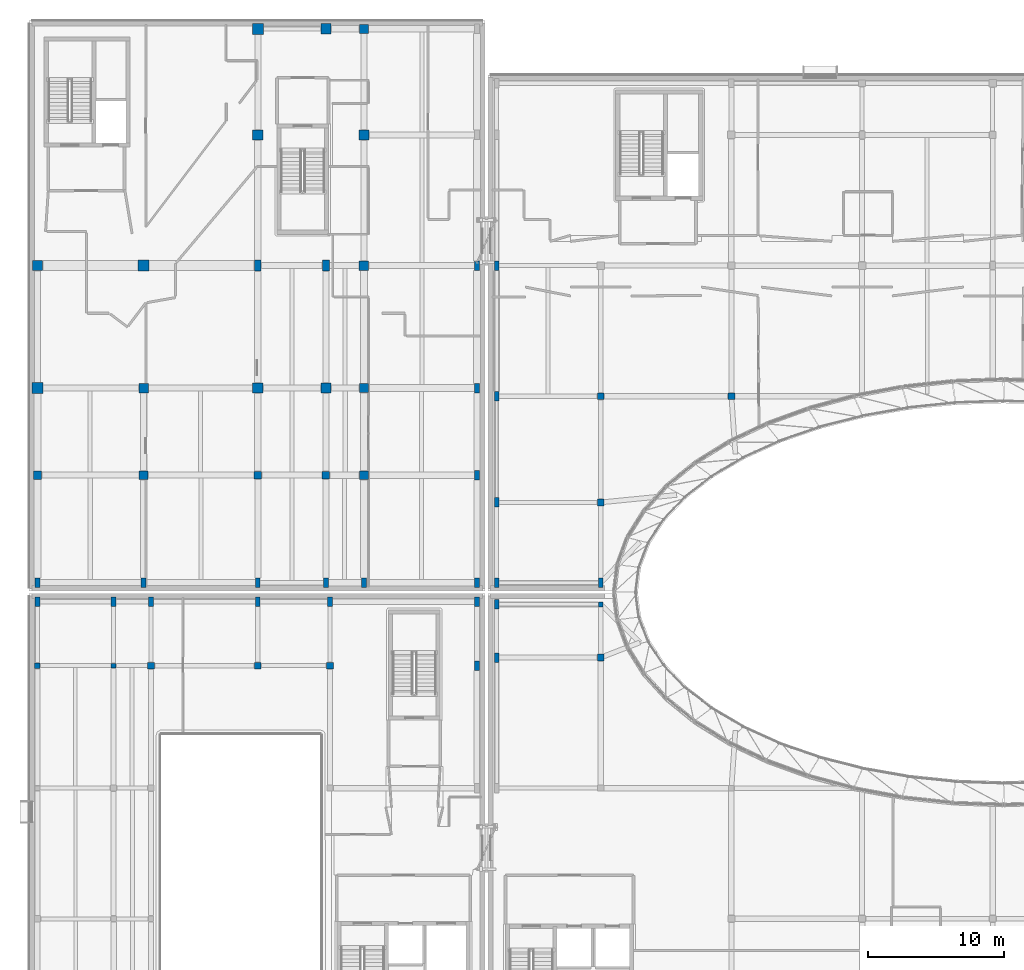
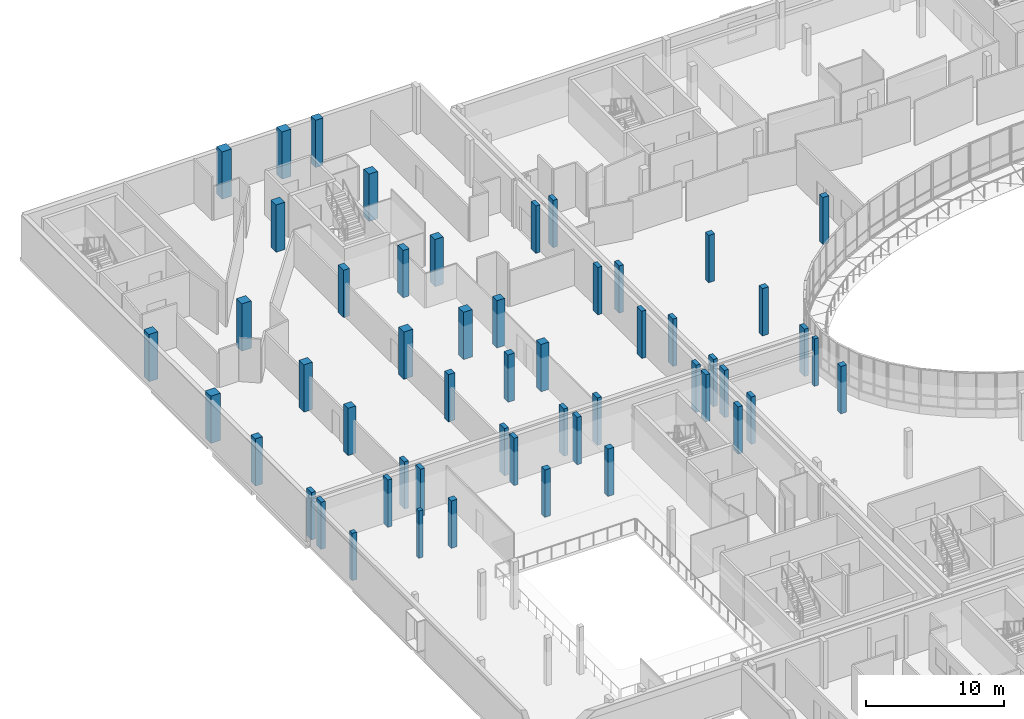
# One storey, part 6 of 84: 53 columns.
"""IFC4 building model written with IfcOpenShell, lengths in metres."""

from ifc_helpers import new_model, si_unit, direction, frame, origin, origin_2d, place, context, subcontext, project, spatial, rectangle, extrude, material, material_profile, profile_set, type_object, element, save


model = new_model("IFC4")

# Units and contexts
model_context = context("Model", 3, precision=1e-05, world=origin(), true_north=direction((0.0, 1.0)))
body_context = subcontext(model_context, "Body", "Model", "MODEL_VIEW")
ifc_project = project(units=[si_unit("LENGTHUNIT", "METRE"), si_unit("AREAUNIT", "SQUARE_METRE"), si_unit("VOLUMEUNIT", "CUBIC_METRE"), si_unit("PLANEANGLEUNIT", "RADIAN"), si_unit("MASSUNIT", "GRAM", prefix="KILO")], contexts=[model_context])

# Site, building, storey
site_placement = place(None, origin())
site = spatial("IfcSite", under=ifc_project, at=site_placement, CompositionType="ELEMENT")
building_placement = place(site_placement, origin())
building = spatial("IfcBuilding", under=site, at=building_placement, Name="Mzevani Central Library", CompositionType="ELEMENT")
storey_placement = place(building_placement, frame((0.0, 0.0, 5.39990234375)))
storey = spatial("IfcBuildingStorey", under=building, at=storey_placement, Name="L01", CompositionType="ELEMENT", Elevation=5.39990234375)

# Columns
ifc_material = material(Name="Concrete C40/50", Category="concrete")
ifc_material_profile_1 = material_profile(ifc_material, rectangle(XDim=0.35009765625, YDim=0.35009765625, at=origin_2d()), Name="RC 350x350")
ifc_profile_set_1 = profile_set([ifc_material_profile_1], Name="Concrete C40/50")
column_type_1 = type_object("IfcColumnType", Name="Column RC 350x350", PredefinedType="COLUMN", material=ifc_profile_set_1)
for number, where, z_axis, x_axis, name in (
    (1, (54.39990234375, 75.10009765625, 0.0), (0.0, 0.0, 1.0), (1.0, 0.0, 0.0), "L01 V1 Column C-01 (6)"),
    (2, (18.60009765625, 70.60009765625, 0.0), (0.0, 0.0, 1.0), (1.0, 0.0, 0.0), "L01 V5 Column C-01 (195)"),
):
    element("IfcColumn", number, at=place(storey_placement, frame(where, z_axis=z_axis, x_axis=x_axis)), inside=storey, type_object=column_type_1, Name=name, PredefinedType="COLUMN", context=body_context, shape_type="SweptSolid", body=[
        extrude(rectangle(XDim=0.35009765625, YDim=0.35009765625, at=origin_2d()), origin(), (0.0, 0.0, 1.0), 4.2001953125),
    ])
ifc_material_profile_2 = material_profile(ifc_material, rectangle(XDim=0.39990234375, YDim=0.39990234375, at=origin_2d()), Name="RC 400x400")
ifc_profile_set_2 = profile_set([ifc_material_profile_2], Name="Concrete C40/50")
column_type_2 = type_object("IfcColumnType", Name="Column RC 400x400", PredefinedType="COLUMN", material=ifc_profile_set_2)
column_1_placement = place(storey_placement, frame((13.0, 70.60009765625, 0.0), z_axis=(0.0, 0.0, 1.0), x_axis=(1.0, 0.0, 0.0)))
element("IfcColumn", 3, at=column_1_placement, inside=storey, type_object=column_type_2, Name="L01 V5 Column C-02 (190)", PredefinedType="COLUMN", context=body_context, shape_type="SweptSolid", body=[
    extrude(rectangle(XDim=0.39990234375, YDim=0.39990234375, at=origin_2d()), origin(), (0.0, 0.0, 1.0), 4.2001953125),
])
ifc_material_profile_3 = material_profile(ifc_material, rectangle(XDim=0.5, YDim=0.5, at=origin_2d()), Name="RC 500x500")
ifc_profile_set_3 = profile_set([ifc_material_profile_3], Name="Concrete C40/50")
column_type_3 = type_object("IfcColumnType", Name="Column RC 500x500", PredefinedType="COLUMN", material=ifc_profile_set_3)
for number, where, z_axis, x_axis, name in (
    (4, (54.39990234375, 71.199951171875, 0.0), (0.0, 0.0, 1.0), (1.0, 0.0, 0.0), "L01 V1 Column C-04 (5)"),
    (5, (54.39990234375, 82.60009765625, 0.0), (0.0, 0.0, 1.0), (1.0, 0.0, 0.0), "L01 V3 Column C-04 (107)"),
    (6, (54.39990234375, 90.39990234375, 0.0), (0.0, 0.0, 1.0), (1.0, 0.0, 0.0), "L01 V3 Column C-04 (108)"),
    (7, (64.0, 90.39990234375, 0.0), (0.0, 0.0, 1.0), (1.0, 0.0, 0.0), "L01 V3 Column C-04 (110)"),
    (8, (21.35009765625, 70.60009765625, 0.0), (0.0, 0.0, 1.0), (1.0, 0.0, 0.0), "L01 V5 Column C-04 (200)"),
    (9, (29.199951171875, 70.60009765625, 0.0), (0.0, 0.0, 1.0), (1.0, 0.0, 0.0), "L01 V5 Column C-04 (203)"),
    (10, (34.5, 70.60009765625, 0.0), (0.0, 0.0, 1.0), (1.0, 0.0, 0.0), "L01 V5 Column C-04 (206)"),
):
    element("IfcColumn", number, at=place(storey_placement, frame(where, z_axis=z_axis, x_axis=x_axis)), inside=storey, type_object=column_type_3, Name=name, PredefinedType="COLUMN", context=body_context, shape_type="SweptSolid", body=[
        extrude(rectangle(XDim=0.5, YDim=0.5, at=origin_2d()), origin(), (0.0, 0.0, 1.0), 4.2001953125),
    ])
ifc_material_profile_4 = material_profile(ifc_material, rectangle(XDim=0.5, YDim=0.800048828125, at=origin_2d()), Name="RC 500x800")
ifc_profile_set_4 = profile_set([ifc_material_profile_4], Name="Concrete C40/50")
column_type_4 = type_object("IfcColumnType", Name="Column RC 500x800", PredefinedType="COLUMN", material=ifc_profile_set_4)
for number, where, z_axis, x_axis, name in (
    (11, (29.199951171875, 100.0, 0.0), (0.0, 0.0, 1.0), (1.0, 0.0, 0.0), "L01 V2 Column C-15 (80)"),
    (12, (34.199951171875, 100.0, 0.0), (0.0, 0.0, 1.0), (1.0, 0.0, 0.0), "L01 V2 Column C-15 (86)"),
):
    element("IfcColumn", number, at=place(storey_placement, frame(where, z_axis=z_axis, x_axis=x_axis)), inside=storey, type_object=column_type_4, Name=name, PredefinedType="COLUMN", context=body_context, shape_type="SweptSolid", body=[
        extrude(rectangle(XDim=0.5, YDim=0.800048828125, at=origin_2d()), origin(), (0.0, 0.0, 1.0), 4.2001953125),
    ])
ifc_material_profile_5 = material_profile(ifc_material, rectangle(XDim=0.550048828125, YDim=0.550048828125, at=origin_2d()), Name="RC 550x550")
ifc_profile_set_5 = profile_set([ifc_material_profile_5], Name="Concrete C40/50")
column_type_5 = type_object("IfcColumnType", Name="Column RC 550x550", PredefinedType="COLUMN", material=ifc_profile_set_5)
for number, where, z_axis, x_axis, name in (
    (13, (29.199951171875, 84.60009765625, 0.0), (0.0, 0.0, 1.0), (1.0, 0.0, 0.0), "L01 V2 Column C-05 (78)"),
    (14, (34.199951171875, 84.60009765625, 0.0), (0.0, 0.0, 1.0), (1.0, 0.0, 0.0), "L01 V2 Column C-05 (84)"),
):
    element("IfcColumn", number, at=place(storey_placement, frame(where, z_axis=z_axis, x_axis=x_axis)), inside=storey, type_object=column_type_5, Name=name, PredefinedType="COLUMN", context=body_context, shape_type="SweptSolid", body=[
        extrude(rectangle(XDim=0.550048828125, YDim=0.550048828125, at=origin_2d()), origin(), (0.0, 0.0, 1.0), 4.2001953125),
    ])
ifc_material_profile_6 = material_profile(ifc_material, rectangle(XDim=0.60009765625, YDim=0.60009765625, at=origin_2d()), Name="RC 600x600")
ifc_profile_set_6 = profile_set([ifc_material_profile_6], Name="Concrete C40/50")
column_type_6 = type_object("IfcColumnType", Name="Column RC 600x600", PredefinedType="COLUMN", material=ifc_profile_set_6)
column_2_placement = place(storey_placement, frame((13.0, 84.60009765625, 0.0), z_axis=(0.0, 0.0, 1.0), x_axis=(1.0, 0.0, 0.0)))
element("IfcColumn", 15, at=column_2_placement, inside=storey, type_object=column_type_6, Name="L01 V2 Column C-06 (70)", PredefinedType="COLUMN", context=body_context, shape_type="SweptSolid", body=[
    extrude(rectangle(XDim=0.60009765625, YDim=0.60009765625, at=origin_2d()), origin(), (0.0, 0.0, 1.0), 4.2001953125),
])
ifc_material_profile_7 = material_profile(ifc_material, rectangle(XDim=0.64990234375, YDim=0.64990234375, at=origin_2d()), Name="RC 650x650")
ifc_profile_set_7 = profile_set([ifc_material_profile_7], Name="Concrete C40/50")
column_type_7 = type_object("IfcColumnType", Name="Column RC 650x650", PredefinedType="COLUMN", material=ifc_profile_set_7)
for number, where, z_axis, x_axis, name in (
    (16, (20.800048828125, 84.60009765625, 0.0), (0.0, 0.0, 1.0), (1.0, 0.0, 0.0), "L01 V2 Column C-07 (74)"),
    (17, (37.0, 84.60009765625, 0.0), (0.0, 0.0, 1.0), (1.0, 0.0, 0.0), "L01 V2 Column C-07 (89)"),
    (18, (37.0, 91.0, 0.0), (0.0, 0.0, 1.0), (1.0, 0.0, 0.0), "L01 V2 Column C-07 (90)"),
    (19, (37.0, 117.39990234375, 0.0), (0.0, 0.0, 1.0), (1.0, 0.0, 0.0), "L01 V2 Column C-07 (93)"),
):
    element("IfcColumn", number, at=place(storey_placement, frame(where, z_axis=z_axis, x_axis=x_axis)), inside=storey, type_object=column_type_7, Name=name, PredefinedType="COLUMN", context=body_context, shape_type="SweptSolid", body=[
        extrude(rectangle(XDim=0.64990234375, YDim=0.64990234375, at=origin_2d()), origin(), (0.0, 0.0, 1.0), 4.2001953125),
    ])
ifc_material_profile_8 = material_profile(ifc_material, rectangle(XDim=0.699951171875, YDim=0.699951171875, at=origin_2d()), Name="RC 700x700")
ifc_profile_set_8 = profile_set([ifc_material_profile_8], Name="Concrete C40/50")
column_type_8 = type_object("IfcColumnType", Name="Column RC 700x700", PredefinedType="COLUMN", material=ifc_profile_set_8)
for number, where, z_axis, x_axis, name in (
    (20, (20.800048828125, 91.0, 0.0), (0.0, 0.0, 1.0), (1.0, 0.0, 0.0), "L01 V2 Column C-08 (75)"),
    (21, (37.0, 100.0, 0.0), (0.0, 0.0, 1.0), (1.0, 0.0, 0.0), "L01 V2 Column C-08 (91)"),
):
    element("IfcColumn", number, at=place(storey_placement, frame(where, z_axis=z_axis, x_axis=x_axis)), inside=storey, type_object=column_type_8, Name=name, PredefinedType="COLUMN", context=body_context, shape_type="SweptSolid", body=[
        extrude(rectangle(XDim=0.699951171875, YDim=0.699951171875, at=origin_2d()), origin(), (0.0, 0.0, 1.0), 4.2001953125),
    ])
ifc_material_profile_9 = material_profile(ifc_material, rectangle(XDim=0.75, YDim=0.75, at=origin_2d()), Name="RC 750x750")
ifc_profile_set_9 = profile_set([ifc_material_profile_9], Name="Concrete C40/50")
column_type_9 = type_object("IfcColumnType", Name="Column RC 750x750", PredefinedType="COLUMN", material=ifc_profile_set_9)
for number, where, z_axis, x_axis, name in (
    (22, (13.0, 100.0, 0.0), (0.0, 0.0, 1.0), (1.0, 0.0, 0.0), "L01 V2 Column C-09 (72)"),
    (23, (29.199951171875, 91.0, 0.0), (0.0, 0.0, 1.0), (1.0, 0.0, 0.0), "L01 V2 Column C-09 (79)"),
    (24, (29.199951171875, 109.60009765625, 0.0), (0.0, 0.0, 1.0), (1.0, 0.0, 0.0), "L01 V2 Column C-09 (81)"),
    (25, (34.199951171875, 91.0, 0.0), (0.0, 0.0, 1.0), (1.0, 0.0, 0.0), "L01 V2 Column C-09 (85)"),
    (26, (34.199951171875, 117.39990234375, 0.0), (0.0, 0.0, 1.0), (1.0, 0.0, 0.0), "L01 V2 Column C-09 (87)"),
    (27, (37.0, 109.60009765625, 0.0), (0.0, 0.0, 1.0), (1.0, 0.0, 0.0), "L01 V2 Column C-09 (92)"),
):
    element("IfcColumn", number, at=place(storey_placement, frame(where, z_axis=z_axis, x_axis=x_axis)), inside=storey, type_object=column_type_9, Name=name, PredefinedType="COLUMN", context=body_context, shape_type="SweptSolid", body=[
        extrude(rectangle(XDim=0.75, YDim=0.75, at=origin_2d()), origin(), (0.0, 0.0, 1.0), 4.2001953125),
    ])
ifc_material_profile_10 = material_profile(ifc_material, rectangle(XDim=0.800048828125, YDim=0.800048828125, at=origin_2d()), Name="RC 800x800")
ifc_profile_set_10 = profile_set([ifc_material_profile_10], Name="Concrete C40/50")
column_type_10 = type_object("IfcColumnType", Name="Column RC 800x800", PredefinedType="COLUMN", material=ifc_profile_set_10)
for number, where, z_axis, x_axis, name in (
    (28, (13.0, 91.0, 0.0), (0.0, 0.0, 1.0), (1.0, 0.0, 0.0), "L01 V2 Column C-10 (71)"),
    (29, (20.800048828125, 100.0, 0.0), (0.0, 0.0, 1.0), (1.0, 0.0, 0.0), "L01 V2 Column C-10 (76)"),
    (30, (29.199951171875, 117.39990234375, 0.0), (0.0, 0.0, 1.0), (1.0, 0.0, 0.0), "L01 V2 Column C-10 (82)"),
):
    element("IfcColumn", number, at=place(storey_placement, frame(where, z_axis=z_axis, x_axis=x_axis)), inside=storey, type_object=column_type_10, Name=name, PredefinedType="COLUMN", context=body_context, shape_type="SweptSolid", body=[
        extrude(rectangle(XDim=0.800048828125, YDim=0.800048828125, at=origin_2d()), origin(), (0.0, 0.0, 1.0), 4.2001953125),
    ])
ifc_material_profile_11 = material_profile(ifc_material, rectangle(XDim=0.35009765625, YDim=0.699951171875, at=origin_2d()), Name="RC 350x700")
ifc_profile_set_11 = profile_set([ifc_material_profile_11], Name="Concrete C40/50")
column_type_11 = type_object("IfcColumnType", Name="Joint Twin Column RC 350x700", PredefinedType="COLUMN", material=ifc_profile_set_11)
for number, where, z_axis, x_axis, name in (
    (31, (46.75, 71.199951171875, 0.0), (0.0, 0.0, 1.0), (1.0, 0.0, 0.0), "L01 V1 Column C-18 (2)"),
    (32, (46.75, 75.10009765625, 0.0), (0.0, 0.0, 1.0), (1.0, 0.0, 0.0), "L01 V1 Column C-18 (3)"),
    (33, (13.0, 76.699951171875, 0.0), (0.0, 0.0, 1.0), (1.0, 0.0, 0.0), "L01 V2 Column C-18 (69)"),
    (34, (20.800048828125, 76.699951171875, 0.0), (0.0, 0.0, 1.0), (1.0, 0.0, 0.0), "L01 V2 Column C-18 (73)"),
    (35, (29.199951171875, 76.699951171875, 0.0), (0.0, 0.0, 1.0), (1.0, 0.0, 0.0), "L01 V2 Column C-18 (77)"),
    (36, (34.199951171875, 76.699951171875, 0.0), (0.0, 0.0, 1.0), (1.0, 0.0, 0.0), "L01 V2 Column C-18 (83)"),
    (37, (37.0, 76.699951171875, 0.0), (0.0, 0.0, 1.0), (1.0, 0.0, 0.0), "L01 V2 Column C-18 (88)"),
    (38, (45.300048828125, 76.699951171875, 0.0), (0.0, 0.0, 1.0), (1.0, 0.0, 0.0), "L01 V2 Column C-18 (94)"),
    (39, (45.300048828125, 84.60009765625, 0.0), (0.0, 0.0, 1.0), (1.0, 0.0, 0.0), "L01 V2 Column C-18 (95)"),
    (40, (45.300048828125, 91.0, 0.0), (0.0, 0.0, 1.0), (1.0, 0.0, 0.0), "L01 V2 Column C-18 (96)"),
    (41, (45.300048828125, 100.0, 0.0), (0.0, 0.0, 1.0), (1.0, 0.0, 0.0), "L01 V2 Column C-18 (97)"),
    (42, (46.75, 76.699951171875, 0.0), (0.0, 0.0, 1.0), (1.0, 0.0, 0.0), "L01 V3 Column C-18 (100)"),
    (43, (46.75, 82.60009765625, 0.0), (0.0, 0.0, 1.0), (1.0, 0.0, 0.0), "L01 V3 Column C-18 (101)"),
    (44, (46.75, 90.39990234375, 0.0), (0.0, 0.0, 1.0), (1.0, 0.0, 0.0), "L01 V3 Column C-18 (102)"),
    (45, (46.75, 100.0, 0.0), (0.0, 0.0, 1.0), (1.0, 0.0, 0.0), "L01 V3 Column C-18 (103)"),
    (46, (54.39990234375, 76.699951171875, 0.0), (0.0, 0.0, 1.0), (1.0, 0.0, 0.0), "L01 V3 Column C-18 (106)"),
    (47, (13.0, 75.300048828125, 0.0), (0.0, 0.0, 1.0), (1.0, 0.0, 0.0), "L01 V5 Column C-18 (191)"),
    (48, (18.60009765625, 75.300048828125, 0.0), (0.0, 0.0, 1.0), (1.0, 0.0, 0.0), "L01 V5 Column C-18 (196)"),
    (49, (21.35009765625, 75.300048828125, 0.0), (0.0, 0.0, 1.0), (1.0, 0.0, 0.0), "L01 V5 Column C-18 (201)"),
    (50, (29.199951171875, 75.300048828125, 0.0), (0.0, 0.0, 1.0), (1.0, 0.0, 0.0), "L01 V5 Column C-18 (204)"),
    (51, (34.5, 75.300048828125, 0.0), (0.0, 0.0, 1.0), (1.0, 0.0, 0.0), "L01 V5 Column C-18 (207)"),
    (52, (45.300048828125, 70.60009765625, 0.0), (0.0, 0.0, 1.0), (1.0, 0.0, 0.0), "L01 V5 Column C-18 (209)"),
    (53, (45.300048828125, 75.300048828125, 0.0), (0.0, 0.0, 1.0), (1.0, 0.0, 0.0), "L01 V5 Column C-18 (210)"),
):
    element("IfcColumn", number, at=place(storey_placement, frame(where, z_axis=z_axis, x_axis=x_axis)), inside=storey, type_object=column_type_11, Name=name, PredefinedType="COLUMN", context=body_context, shape_type="SweptSolid", body=[
        extrude(rectangle(XDim=0.35009765625, YDim=0.699951171875, at=origin_2d()), origin(), (0.0, 0.0, 1.0), 4.2001953125),
    ])

save(model, "model.ifc")
